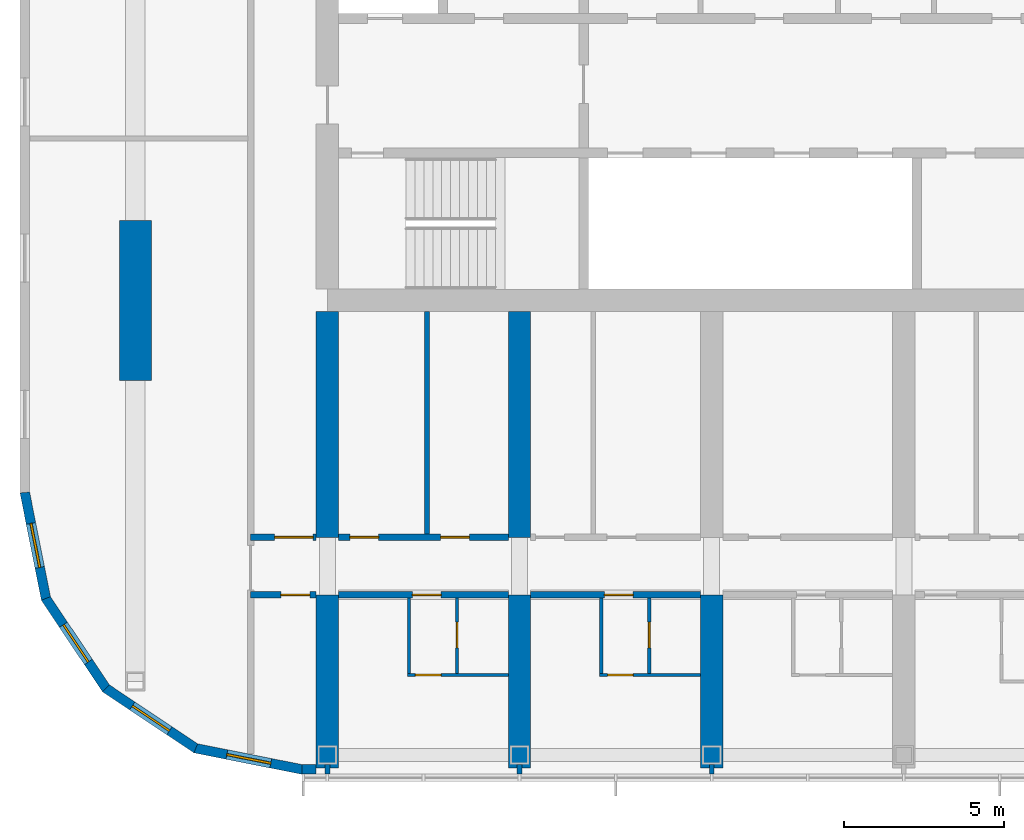
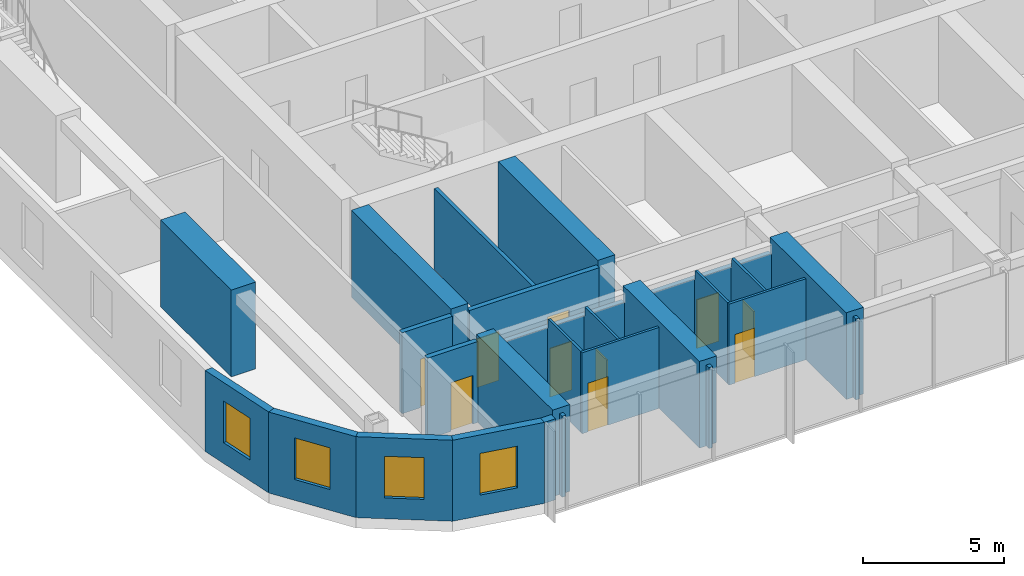
# One storey, part 12 of 27: 26 walls, 10 doors, 4 windows, 14 openings.
"""IFC4 building model written with IfcOpenShell, lengths in metres."""

import ifcopenshell
import ifcopenshell.guid

model = None  # the IFC model being written
_history = None  # IfcOwnerHistory: only IFC2X3 demands one
_inside = {}  # id of a spatial element -> (the spatial element, [elements in it])
_under = {}  # id of a project, library or spatial element -> (it, [spatial elements below it])
_declared = {}  # id of a project -> (the project, [libraries it declares])
_typed = {}  # id of a type object -> (the type object, [elements of that type])
_made_of = {}  # id of a material, layer set ... -> (it, [elements and type objects made of it])


def new_model(schema):
    """Start an empty IFC model of exactly this schema.

    Asked for "IFC4X3", IfcOpenShell would pick the latest addendum, in which some entities
    have other attributes; the version numbers below select the first issue.
    IFC2X3 requires an IfcOwnerHistory on every rooted entity: one is made here for all.
    """
    global model, _history
    if schema == "IFC4X3":
        model = ifcopenshell.file(schema_version=(4, 3, 0, 0))
    else:
        model = ifcopenshell.file(schema=schema)
    _inside.clear()
    _under.clear()
    _declared.clear()
    _typed.clear()
    _made_of.clear()
    _history = None
    if model.schema == "IFC2X3":
        org = make("IfcOrganization", Name="unknown")
        user = make(
            "IfcPersonAndOrganization",
            ThePerson=make("IfcPerson", FamilyName="unknown"),
            TheOrganization=org,
        )
        app = make(
            "IfcApplication",
            ApplicationDeveloper=org,
            Version="unknown",
            ApplicationFullName="unknown",
            ApplicationIdentifier="unknown",
        )
        _history = make(
            "IfcOwnerHistory",
            OwningUser=user,
            OwningApplication=app,
            ChangeAction="ADDED",
            CreationDate=0,
        )
    return model


def make(cls, **values):
    """One entity of the class cls with the attributes given. An attribute that is None is left unset."""
    return model.create_entity(
        cls, **{name: value for name, value in values.items() if value is not None}
    )


def rooted(cls, **values):
    """An entity with a GlobalId (a new one), such as an element, a storey or a relation."""
    return make(cls, GlobalId=ifcopenshell.guid.new(), OwnerHistory=_history, **values)


def si_unit(unit_type, name, prefix=None):
    """IfcSIUnit, for example si_unit("LENGTHUNIT", "METRE", prefix="MILLI")."""
    return make("IfcSIUnit", UnitType=unit_type, Prefix=prefix, Name=name)


def assignment(units):
    """IfcUnitAssignment: the units of a project."""
    return None if units is None else make("IfcUnitAssignment", Units=units)


def point(xyz):
    """IfcCartesianPoint."""
    return None if xyz is None else make("IfcCartesianPoint", Coordinates=xyz)


def direction(xyz):
    """IfcDirection."""
    return None if xyz is None else make("IfcDirection", DirectionRatios=xyz)


def frame(location, z_axis=None, x_axis=None):
    """IfcAxis2Placement3D, a coordinate frame: its origin and axes. An axis left out is left unset."""
    return make(
        "IfcAxis2Placement3D",
        Location=point(location),
        Axis=direction(z_axis),
        RefDirection=direction(x_axis),
    )


def frame_2d(location, x_axis=None):
    """IfcAxis2Placement2D, a coordinate frame in the plane: its origin and x axis."""
    return make(
        "IfcAxis2Placement2D", Location=point(location), RefDirection=direction(x_axis)
    )


def origin():
    """The frame at (0, 0, 0) with its axes left unset."""
    return frame((0.0, 0.0, 0.0))


def place(relative_to, where):
    """IfcLocalPlacement: puts the frame where relative to a parent placement (None: the world)."""
    return make(
        "IfcLocalPlacement", PlacementRelTo=relative_to, RelativePlacement=where
    )


def context(
    kind, dimensions, precision=None, world=None, true_north=None, identifier=None
):
    """IfcGeometricRepresentationContext, for example the 3D "Model" context."""
    return make(
        "IfcGeometricRepresentationContext",
        ContextIdentifier=identifier,
        ContextType=kind,
        CoordinateSpaceDimension=dimensions,
        Precision=precision,
        WorldCoordinateSystem=world,
        TrueNorth=true_north,
    )


def subcontext(parent, identifier, kind, view, scale=None):
    """IfcGeometricRepresentationSubContext, for example "Body" below "Model"."""
    return make(
        "IfcGeometricRepresentationSubContext",
        ContextIdentifier=identifier,
        ContextType=kind,
        ParentContext=parent,
        TargetScale=scale,
        TargetView=view,
    )


def project(units=None, contexts=None):
    """IfcProject with its units and contexts."""
    return rooted(
        "IfcProject",
        Name="project",
        RepresentationContexts=contexts,
        UnitsInContext=assignment(units),
    )


def spatial(cls, under=None, at=None, **own):
    """A site, building, storey or space (cls), placed at a placement, below another one or the project."""
    s = rooted(cls, ObjectPlacement=at, **own)
    if under is not None:
        _under.setdefault(under.id(), (under, []))[1].append(s)
    return s


def polyline(points):
    """IfcPolyline through the points."""
    return make("IfcPolyline", Points=[point(p) for p in points])


def profile(cls, at=None, kind="AREA", **sizes):
    """A parametric profile (cls). Its sizes go by their IFC names, for example OverallWidth=200.0."""
    return make(cls, ProfileType=kind, Position=at, **sizes)


def rectangle(**sizes):
    """IfcRectangleProfileDef."""
    return profile("IfcRectangleProfileDef", **sizes)


def outline(outer, holes=None, kind="AREA"):
    """IfcArbitraryClosedProfileDef: a profile drawn as a closed curve; with holes, ...WithVoids."""
    if holes is None:
        return make("IfcArbitraryClosedProfileDef", ProfileType=kind, OuterCurve=outer)
    return make(
        "IfcArbitraryProfileDefWithVoids",
        ProfileType=kind,
        OuterCurve=outer,
        InnerCurves=holes,
    )


def extrude(swept, where, along, depth):
    """IfcExtrudedAreaSolid: the profile swept, set in the frame where, extruded along a direction by depth."""
    return make(
        "IfcExtrudedAreaSolid",
        SweptArea=swept,
        Position=where,
        ExtrudedDirection=direction(along),
        Depth=depth,
    )


def shape(context_of_items, identifier, shape_type, items):
    """IfcShapeRepresentation: the items that make up one representation, for example the "Body"."""
    return make(
        "IfcShapeRepresentation",
        ContextOfItems=context_of_items,
        RepresentationIdentifier=identifier,
        RepresentationType=shape_type,
        Items=items,
    )


def material(Name=None, Category=None):
    """IfcMaterial."""
    return make("IfcMaterial", Name=Name, Category=Category)


def layer(
    of_material, thickness, ventilated=None, Name=None, Category=None, Priority=None
):
    """IfcMaterialLayer: one layer of a wall or slab, of a material (None: an air gap)."""
    return make(
        "IfcMaterialLayer",
        Material=of_material,
        LayerThickness=thickness,
        IsVentilated=ventilated,
        Name=Name,
        Category=Category,
        Priority=Priority,
    )


def layer_set(layers, Name=None):
    """IfcMaterialLayerSet."""
    return make("IfcMaterialLayerSet", MaterialLayers=layers, LayerSetName=Name)


def made_of(thing, what):
    """Note that an element or type object is made of a material, layer set ...; save() writes the relation."""
    if what is not None:
        _made_of.setdefault(what.id(), (what, []))[1].append(thing)
    return thing


def type_object(cls, material=None, **own):
    """A type object (cls), such as IfcWallType, which elements share."""
    return made_of(rooted(cls, **own), material)


def element(
    cls,
    number,
    at=None,
    inside=None,
    cuts=None,
    type_object=None,
    material=None,
    context=None,
    identifier="Body",
    shape_type=None,
    held_by="IfcProductDefinitionShape",
    body=None,
    shapes=None,
    **own,
):
    """One element of the class cls, such as IfcWall. Its Tag is "e" and its number.

    at: its placement. inside: the storey or other place that contains it. cuts: it is an
    opening in that element (IfcRelVoidsElement). A single representation is given by context,
    identifier, shape_type and body (its items); several are given by shapes. held_by: the class
    of the entity that holds the representations. save() writes the other relations.
    """
    e = rooted(cls, Tag="e%d" % number, ObjectPlacement=at, **own)
    if body is not None:
        shapes = [shape(context, identifier, shape_type, body)]
    if shapes is not None:
        e.Representation = make(held_by, Representations=shapes)
    if inside is not None:
        _inside.setdefault(inside.id(), (inside, []))[1].append(e)
    if cuts is not None:
        rooted(
            "IfcRelVoidsElement", RelatingBuildingElement=cuts, RelatedOpeningElement=e
        )
    if type_object is not None:
        _typed.setdefault(type_object.id(), (type_object, []))[1].append(e)
    return made_of(e, material)


def fill(opening, filler):
    """IfcRelFillsElement: the door or window that sits in an opening."""
    return rooted(
        "IfcRelFillsElement",
        RelatingOpeningElement=opening,
        RelatedBuildingElement=filler,
    )


def aggregate(whole, parts):
    """IfcRelAggregates: a whole, such as a stair, and the parts it consists of."""
    return rooted("IfcRelAggregates", RelatingObject=whole, RelatedObjects=parts)


def save(model, path):
    """Write the relations noted so far, then the file.

    IfcRelAggregates (storeys below a building ...), IfcRelContainedInSpatialStructure (elements
    in a storey), IfcRelDefinesByType, IfcRelAssociatesMaterial and IfcRelDeclares: one each for
    every whole, place, type object, material and project.
    """
    for whole, parts in _under.values():
        aggregate(whole, parts)
    for where, things in _inside.values():
        rooted(
            "IfcRelContainedInSpatialStructure",
            RelatedElements=things,
            RelatingStructure=where,
        )
    for kind, things in _typed.values():
        rooted("IfcRelDefinesByType", RelatedObjects=things, RelatingType=kind)
    for what, things in _made_of.values():
        rooted("IfcRelAssociatesMaterial", RelatedObjects=things, RelatingMaterial=what)
    for by, libraries in _declared.values():
        rooted("IfcRelDeclares", RelatingContext=by, RelatedDefinitions=libraries)
    model.write(path)


model = new_model("IFC4")

# Units and contexts
model_context = context("Model", 3, precision=1e-05, world=origin(), true_north=direction((0.0, 1.0)))
body_context = subcontext(model_context, "Body", "Model", "MODEL_VIEW")
ifc_project = project(units=[si_unit("LENGTHUNIT", "METRE"), si_unit("AREAUNIT", "SQUARE_METRE"), si_unit("VOLUMEUNIT", "CUBIC_METRE"), si_unit("PLANEANGLEUNIT", "RADIAN"), si_unit("MASSUNIT", "GRAM", prefix="KILO")], contexts=[model_context])

# Site, building, storey
site_placement = place(None, origin())
site = spatial("IfcSite", under=ifc_project, at=site_placement, CompositionType="ELEMENT")
building_placement = place(site_placement, origin())
building = spatial("IfcBuilding", under=site, at=building_placement, Name="Orbita Commons", CompositionType="ELEMENT")
storey_placement = place(building_placement, frame((0.0, 0.0, 246.550048828125)))
storey = spatial("IfcBuildingStorey", under=building, at=storey_placement, Name="L61", CompositionType="ELEMENT", Elevation=246.550048828125)

# Wall, opening, door
ifc_material_1 = material(Name="Concrete blockwork", Category="masonry")
ifc_layer_1 = layer(ifc_material_1, 0.199951171875)
ifc_layer_set_1 = layer_set([ifc_layer_1], Name="Concrete blockwork")
wall_type_1 = type_object("IfcWallType", Name="Corridor wall 200 blockwork", PredefinedType="SOLIDWALL", material=ifc_layer_set_1)
wall_1_placement = place(storey_placement, frame((15.60009765625, 16.60009765625, 0.0), z_axis=(0.0, 0.0, 1.0), x_axis=(1.0, 0.0, 0.0)))
wall_1 = element("IfcWall", 1, at=wall_1_placement, inside=storey, type_object=wall_type_1, Name="Corridor wall 200 blockwork L61", PredefinedType="SOLIDWALL", context=body_context, shape_type="SweptSolid", body=[
    extrude(rectangle(XDim=2.0498046875, YDim=0.199951171875, at=frame_2d((1.02490234375, 0.0))), origin(), (0.0, 0.0, 1.0), 3.5),
])
opening_1_placement = place(wall_1_placement, frame((0.949951171875, 0.0, 0.0)))
opening_1 = element("IfcOpeningElement", 2, at=opening_1_placement, cuts=wall_1, Name="Opening D05", PredefinedType="OPENING", context=body_context, shape_type="SweptSolid", body=[
    extrude(rectangle(XDim=0.89990234375, YDim=2.10009765625, at=frame_2d((0.449951171875, 1.050048828125))), frame((0.0, 0.10986328125, 0.0), z_axis=(0.0, -1.0, 0.0), x_axis=(1.0, 0.0, 0.0)), (0.0, 0.0, 1.0), 0.219970703125),
])
ifc_material_2 = material(Name="Steel-faced fire door leaf", Category="steel")
door_type_1 = type_object("IfcDoorType", Name="Service door 20 min 900x2100", OperationType="SINGLE_SWING_LEFT", PredefinedType="DOOR", material=ifc_material_2)
door_1_placement = place(opening_1_placement, origin())
door_1 = element("IfcDoor", 3, at=door_1_placement, inside=storey, type_object=door_type_1, Name="Linen store L61-KWS door", OperationType="SINGLE_SWING_LEFT", OverallHeight=2.10009765625, OverallWidth=0.89990234375, PredefinedType="DOOR", context=body_context, shape_type="SweptSolid", body=[
    extrude(rectangle(XDim=0.89990234375, YDim=2.10009765625, at=frame_2d((0.449951171875, 1.050048828125))), frame((0.0, 0.02490234375, 0.0), z_axis=(0.0, -1.0, 0.0), x_axis=(1.0, 0.0, 0.0)), (0.0, 0.0, 1.0), 0.050048828125),
])
fill(opening_1, door_1)

wall_2_placement = place(storey_placement, frame((18.35009765625, 16.60009765625, 0.0), z_axis=(0.0, 0.0, 1.0), x_axis=(1.0, 0.0, 0.0)))
wall_2 = element("IfcWall", 4, at=wall_2_placement, inside=storey, type_object=wall_type_1, Name="Corridor wall 200 blockwork L61", PredefinedType="SOLIDWALL", context=body_context, shape_type="SweptSolid", body=[
    extrude(outline(polyline([(0.0, 0.0), (5.2998046875, 0.0), (5.300048828125, 3.099853515625), (0.0, 3.099853515625), (0.0, 0.0)])), frame((0.0, 0.10009765625, 0.0), z_axis=(0.0, -1.0, 0.0), x_axis=(1.0, 0.0, 0.0)), (0.0, 0.0, 1.0), 0.199951171875),
])
opening_2_placement = place(wall_2_placement, frame((2.300048828125, 0.0, 0.0)))
opening_2 = element("IfcOpeningElement", 5, at=opening_2_placement, cuts=wall_2, Name="Opening D11", PredefinedType="OPENING", context=body_context, shape_type="SweptSolid", body=[
    extrude(rectangle(XDim=0.89990234375, YDim=2.10009765625, at=frame_2d((0.449951171875, 1.050048828125))), frame((0.0, 0.10986328125, 0.0), z_axis=(0.0, -1.0, 0.0), x_axis=(1.0, 0.0, 0.0)), (0.0, 0.0, 1.0), 0.219970703125),
])
ifc_material_3 = material(Name="Steel-faced fire door leaf", Category="steel")
door_type_2 = type_object("IfcDoorType", Name="Corridor door 20 min 900x2100", OperationType="SINGLE_SWING_LEFT", PredefinedType="DOOR", material=ifc_material_3)
door_2_placement = place(opening_2_placement, origin())
door_2 = element("IfcDoor", 6, at=door_2_placement, inside=storey, type_object=door_type_2, Name="Studio flat L61-S00 entrance door", OperationType="SINGLE_SWING_LEFT", OverallHeight=2.10009765625, OverallWidth=0.89990234375, PredefinedType="DOOR", context=body_context, shape_type="SweptSolid", body=[
    extrude(rectangle(XDim=0.89990234375, YDim=2.10009765625, at=frame_2d((0.449951171875, 1.050048828125))), frame((0.0, 0.02490234375, 0.0), z_axis=(0.0, -1.0, 0.0), x_axis=(1.0, 0.0, 0.0)), (0.0, 0.0, 1.0), 0.050048828125),
])
fill(opening_2, door_2)

wall_3_placement = place(storey_placement, frame((24.35009765625, 16.60009765625, 0.0), z_axis=(0.0, 0.0, 1.0), x_axis=(1.0, 0.0, 0.0)))
wall_3 = element("IfcWall", 7, at=wall_3_placement, inside=storey, type_object=wall_type_1, Name="Corridor wall 200 blockwork L61", PredefinedType="SOLIDWALL", context=body_context, shape_type="SweptSolid", body=[
    extrude(outline(polyline([(0.0, 0.0), (5.2998046875, 0.0), (5.300048828125, 3.099853515625), (0.0, 3.099853515625), (0.0, 0.0)])), frame((0.0, 0.10009765625, 0.0), z_axis=(0.0, -1.0, 0.0), x_axis=(1.0, 0.0, 0.0)), (0.0, 0.0, 1.0), 0.199951171875),
])
opening_3_placement = place(wall_3_placement, frame((2.300048828125, 0.0, 0.0)))
opening_3 = element("IfcOpeningElement", 8, at=opening_3_placement, cuts=wall_3, Name="Opening D11", PredefinedType="OPENING", context=body_context, shape_type="SweptSolid", body=[
    extrude(rectangle(XDim=0.89990234375, YDim=2.10009765625, at=frame_2d((0.449951171875, 1.050048828125))), frame((0.0, 0.10986328125, 0.0), z_axis=(0.0, -1.0, 0.0), x_axis=(1.0, 0.0, 0.0)), (0.0, 0.0, 1.0), 0.219970703125),
])
door_3_placement = place(opening_3_placement, origin())
door_3 = element("IfcDoor", 9, at=door_3_placement, inside=storey, type_object=door_type_2, Name="Studio flat L61-S02 entrance door", OperationType="SINGLE_SWING_LEFT", OverallHeight=2.10009765625, OverallWidth=0.89990234375, PredefinedType="DOOR", context=body_context, shape_type="SweptSolid", body=[
    extrude(rectangle(XDim=0.89990234375, YDim=2.10009765625, at=frame_2d((0.449951171875, 1.050048828125))), frame((0.0, 0.02490234375, 0.0), z_axis=(0.0, -1.0, 0.0), x_axis=(1.0, 0.0, 0.0)), (0.0, 0.0, 1.0), 0.050048828125),
])
fill(opening_3, door_3)

ifc_material_4 = material(Name="Hollow concrete block 200", Category="concrete")
ifc_layer_2 = layer(ifc_material_4, 0.199951171875)
ifc_layer_set_2 = layer_set([ifc_layer_2], Name="Hollow concrete block 200")
wall_type_2 = type_object("IfcWallType", Name="Corridor wall 200 hollow concrete block", PredefinedType="SOLIDWALL", material=ifc_layer_set_2)
wall_4_placement = place(storey_placement, frame((15.60009765625, 18.39990234375, 0.0), z_axis=(0.0, 0.0, 1.0), x_axis=(1.0, 0.0, 0.0)))
wall_4 = element("IfcWall", 10, at=wall_4_placement, inside=storey, type_object=wall_type_2, Name="Corridor wall 200 hollow concrete block L61", PredefinedType="SOLIDWALL", context=body_context, shape_type="SweptSolid", body=[
    extrude(rectangle(XDim=2.0498046875, YDim=0.199951171875, at=frame_2d((1.02490234375, 0.0))), origin(), (0.0, 0.0, 1.0), 3.5),
])
opening_4_placement = place(wall_4_placement, frame((0.75, 0.0, 0.0)))
opening_4 = element("IfcOpeningElement", 11, at=opening_4_placement, cuts=wall_4, Name="Opening D12", PredefinedType="OPENING", context=body_context, shape_type="SweptSolid", body=[
    extrude(rectangle(XDim=1.199951171875, YDim=2.10009765625, at=frame_2d((0.60009765625, 1.050048828125))), frame((0.0, 0.10986328125, 0.0), z_axis=(0.0, -1.0, 0.0), x_axis=(1.0, 0.0, 0.0)), (0.0, 0.0, 1.0), 0.219970703125),
])
ifc_material_5 = material(Name="Steel-faced fire door leaf", Category="steel")
door_type_3 = type_object("IfcDoorType", Name="Double corridor door 20 min 1200x2100", OperationType="DOUBLE_DOOR_SINGLE_SWING", PredefinedType="DOOR", material=ifc_material_5)
door_4_placement = place(opening_4_placement, origin())
door_4 = element("IfcDoor", 12, at=door_4_placement, inside=storey, type_object=door_type_3, Name="Cross corridor doors", OperationType="DOUBLE_DOOR_SINGLE_SWING", OverallHeight=2.10009765625, OverallWidth=1.199951171875, PredefinedType="DOOR", context=body_context, shape_type="SweptSolid", body=[
    extrude(rectangle(XDim=1.199951171875, YDim=2.10009765625, at=frame_2d((0.60009765625, 1.050048828125))), frame((0.0, 0.02490234375, 0.0), z_axis=(0.0, -1.0, 0.0), x_axis=(1.0, 0.0, 0.0)), (0.0, 0.0, 1.0), 0.050048828125),
])
fill(opening_4, door_4)

# Wall, openings, doors
wall_5_placement = place(storey_placement, frame((18.35009765625, 18.39990234375, 0.0), z_axis=(0.0, 0.0, 1.0), x_axis=(1.0, 0.0, 0.0)))
wall_5 = element("IfcWall", 13, at=wall_5_placement, inside=storey, type_object=wall_type_2, Name="Corridor wall 200 hollow concrete block L61", PredefinedType="SOLIDWALL", context=body_context, shape_type="SweptSolid", body=[
    extrude(rectangle(XDim=5.2998046875, YDim=0.199951171875, at=frame_2d((2.64990234375, 0.0))), origin(), (0.0, 0.0, 1.0), 3.5),
])
opening_5_placement = place(wall_5_placement, frame((0.35009765625, 0.0, 0.0)))
opening_5 = element("IfcOpeningElement", 14, at=opening_5_placement, cuts=wall_5, Name="Opening D11", PredefinedType="OPENING", context=body_context, shape_type="SweptSolid", body=[
    extrude(rectangle(XDim=0.89990234375, YDim=2.10009765625, at=frame_2d((0.449951171875, 1.050048828125))), frame((0.0, 0.10986328125, 0.0), z_axis=(0.0, -1.0, 0.0), x_axis=(1.0, 0.0, 0.0)), (0.0, 0.0, 1.0), 0.219970703125),
])
opening_6_placement = place(wall_5_placement, frame((3.18505859375, 0.0, 0.0)))
opening_6 = element("IfcOpeningElement", 15, at=opening_6_placement, cuts=wall_5, Name="Opening D11", PredefinedType="OPENING", context=body_context, shape_type="SweptSolid", body=[
    extrude(rectangle(XDim=0.89990234375, YDim=2.10009765625, at=frame_2d((0.449951171875, 1.050048828125))), frame((0.0, 0.10986328125, 0.0), z_axis=(0.0, -1.0, 0.0), x_axis=(1.0, 0.0, 0.0)), (0.0, 0.0, 1.0), 0.219970703125),
])
door_5_placement = place(opening_5_placement, origin())
door_5 = element("IfcDoor", 16, at=door_5_placement, inside=storey, type_object=door_type_2, Name="Accessible WC and shower room L61-BDS18n door", OperationType="SINGLE_SWING_LEFT", OverallHeight=2.10009765625, OverallWidth=0.89990234375, PredefinedType="DOOR", context=body_context, shape_type="SweptSolid", body=[
    extrude(rectangle(XDim=0.89990234375, YDim=2.10009765625, at=frame_2d((0.449951171875, 1.050048828125))), frame((0.0, 0.02490234375, 0.0), z_axis=(0.0, -1.0, 0.0), x_axis=(1.0, 0.0, 0.0)), (0.0, 0.0, 1.0), 0.050048828125),
])
fill(opening_5, door_5)
door_6_placement = place(opening_6_placement, origin())
door_6 = element("IfcDoor", 17, at=door_6_placement, inside=storey, type_object=door_type_2, Name="Music practice room L61-BDS18 door", OperationType="SINGLE_SWING_LEFT", OverallHeight=2.10009765625, OverallWidth=0.89990234375, PredefinedType="DOOR", context=body_context, shape_type="SweptSolid", body=[
    extrude(rectangle(XDim=0.89990234375, YDim=2.10009765625, at=frame_2d((0.449951171875, 1.050048828125))), frame((0.0, 0.02490234375, 0.0), z_axis=(0.0, -1.0, 0.0), x_axis=(1.0, 0.0, 0.0)), (0.0, 0.0, 1.0), 0.050048828125),
])
fill(opening_6, door_6)

# Walls
ifc_material_6 = material(Name="Concrete C50/60", Category="concrete")
ifc_layer_3 = layer(ifc_material_6, 0.699951171875)
ifc_layer_set_3 = layer_set([ifc_layer_3], Name="Concrete C50/60")
wall_type_3 = type_object("IfcWallType", Name="Cross wall 700 C50/60", PredefinedType="SHEAR", material=ifc_layer_set_3)
wall_6_placement = place(storey_placement, frame((18.0, 11.199951171875, 0.0), z_axis=(0.0, 0.0, 1.0), x_axis=(0.0, 1.0, 0.0)))
element("IfcWall", 18, at=wall_6_placement, inside=storey, type_object=wall_type_3, Name="Cross wall 4 south outer L61", PredefinedType="SHEAR", context=body_context, shape_type="SweptSolid", body=[
    extrude(rectangle(XDim=5.400146484375, YDim=0.699951171875, at=frame_2d((2.7001953125, 0.0))), origin(), (0.0, 0.0, 1.0), 3.75),
])
wall_7_placement = place(storey_placement, frame((18.0, 18.39990234375, 0.0), z_axis=(0.0, 0.0, 1.0), x_axis=(0.0, 1.0, 0.0)))
element("IfcWall", 19, at=wall_7_placement, inside=storey, type_object=wall_type_3, Name="Cross wall 4 south inner L61", PredefinedType="SHEAR", context=body_context, shape_type="SweptSolid", body=[
    extrude(rectangle(XDim=7.050048828125, YDim=0.699951171875, at=frame_2d((3.52490234375, 0.0))), origin(), (0.0, 0.0, 1.0), 3.75),
])
wall_8_placement = place(storey_placement, frame((24.0, 11.199951171875, 0.0), z_axis=(0.0, 0.0, 1.0), x_axis=(0.0, 1.0, 0.0)))
element("IfcWall", 20, at=wall_8_placement, inside=storey, type_object=wall_type_3, Name="Cross wall 5 south outer L61", PredefinedType="SHEAR", context=body_context, shape_type="SweptSolid", body=[
    extrude(rectangle(XDim=5.400146484375, YDim=0.699951171875, at=frame_2d((2.7001953125, 0.0))), origin(), (0.0, 0.0, 1.0), 3.75),
])
wall_9_placement = place(storey_placement, frame((24.0, 18.39990234375, 0.0), z_axis=(0.0, 0.0, 1.0), x_axis=(0.0, 1.0, 0.0)))
element("IfcWall", 21, at=wall_9_placement, inside=storey, type_object=wall_type_3, Name="Cross wall 5 south inner L61", PredefinedType="SHEAR", context=body_context, shape_type="SweptSolid", body=[
    extrude(rectangle(XDim=7.050048828125, YDim=0.699951171875, at=frame_2d((3.52490234375, 0.0))), origin(), (0.0, 0.0, 1.0), 3.75),
])
wall_10_placement = place(storey_placement, frame((30.0, 11.199951171875, 0.0), z_axis=(0.0, 0.0, 1.0), x_axis=(0.0, 1.0, 0.0)))
element("IfcWall", 22, at=wall_10_placement, inside=storey, type_object=wall_type_3, Name="Cross wall 6 south outer L61", PredefinedType="SHEAR", context=body_context, shape_type="SweptSolid", body=[
    extrude(rectangle(XDim=5.400146484375, YDim=0.699951171875, at=frame_2d((2.7001953125, 0.0))), origin(), (0.0, 0.0, 1.0), 3.75),
])

# Wall, opening, door
ifc_material_7 = material(Name="Moisture-resistant plasterboard on steel studs", Category="steel")
ifc_layer_4 = layer(ifc_material_7, 0.10009765625)
ifc_layer_set_4 = layer_set([ifc_layer_4], Name="Moisture-resistant plasterboard on steel studs")
wall_type_4 = type_object("IfcWallType", Name="En-suite partition 100", PredefinedType="PARTITIONING", material=ifc_layer_set_4)
wall_11_placement = place(storey_placement, frame((23.64990234375, 14.10009765625, 0.0), z_axis=(0.0, 0.0, 1.0), x_axis=(-1.0, 0.0, 0.0)))
wall_11 = element("IfcWall", 23, at=wall_11_placement, inside=storey, type_object=wall_type_4, Name="En-suite partition 100 L61", PredefinedType="PARTITIONING", context=body_context, shape_type="SweptSolid", body=[
    extrude(rectangle(XDim=3.14990234375, YDim=0.10009765625, at=frame_2d((1.574951171875, 0.0))), origin(), (0.0, 0.0, 1.0), 3.5),
])
opening_7_placement = place(wall_11_placement, frame((2.10009765625, 0.0, 0.0)))
opening_7 = element("IfcOpeningElement", 24, at=opening_7_placement, cuts=wall_11, Name="Opening D16", PredefinedType="OPENING", context=body_context, shape_type="SweptSolid", body=[
    extrude(rectangle(XDim=0.800048828125, YDim=2.10009765625, at=frame_2d((0.39990234375, 1.050048828125))), frame((0.0, 0.06005859375, 0.0), z_axis=(0.0, -1.0, 0.0), x_axis=(1.0, 0.0, 0.0)), (0.0, 0.0, 1.0), 0.1201171875),
])
ifc_material_8 = material(Name="Laminated timber door leaf", Category="wood")
door_type_4 = type_object("IfcDoorType", Name="En-suite door 800x2100", OperationType="SINGLE_SWING_RIGHT", PredefinedType="DOOR", material=ifc_material_8)
door_7_placement = place(opening_7_placement, origin())
door_7 = element("IfcDoor", 25, at=door_7_placement, inside=storey, type_object=door_type_4, Name="Studio flat L61-S00 door", OperationType="SINGLE_SWING_RIGHT", OverallHeight=2.10009765625, OverallWidth=0.800048828125, PredefinedType="DOOR", context=body_context, shape_type="SweptSolid", body=[
    extrude(rectangle(XDim=0.800048828125, YDim=2.10009765625, at=frame_2d((0.39990234375, 1.050048828125))), frame((0.0, 0.02490234375, 0.0), z_axis=(0.0, -1.0, 0.0), x_axis=(1.0, 0.0, 0.0)), (0.0, 0.0, 1.0), 0.050048828125),
])
fill(opening_7, door_7)

# Wall
wall_12_placement = place(storey_placement, frame((20.550048828125, 14.14990234375, 0.0), z_axis=(0.0, 0.0, 1.0), x_axis=(0.0, 1.0, 0.0)))
element("IfcWall", 26, at=wall_12_placement, inside=storey, type_object=wall_type_4, Name="En-suite partition 100 L61", PredefinedType="PARTITIONING", context=body_context, shape_type="SweptSolid", body=[
    extrude(outline(polyline([(0.0, 0.0), (2.35009765625, 0.0), (2.35009765625, 3.099853515625), (2.302001953125, 3.099853515625), (2.300048828125, 3.5), (0.0, 3.5), (0.0, 0.0)])), frame((0.0, 0.050048828125, 0.0), z_axis=(0.0, -1.0, 0.0), x_axis=(1.0, 0.0, 0.0)), (0.0, 0.0, 1.0), 0.10009765625),
])

# Wall, opening, door
wall_13_placement = place(storey_placement, frame((22.050048828125, 14.14990234375, 0.0), z_axis=(0.0, 0.0, 1.0), x_axis=(0.0, 1.0, 0.0)))
wall_13 = element("IfcWall", 27, at=wall_13_placement, inside=storey, type_object=wall_type_4, Name="En-suite partition 100 L61", PredefinedType="PARTITIONING", context=body_context, shape_type="SweptSolid", body=[
    extrude(outline(polyline([(0.0, 0.0), (2.35009765625, 0.0), (2.35009765625, 3.099853515625), (2.302001953125, 3.099853515625), (2.300048828125, 3.5), (0.0, 3.5), (0.0, 0.0)])), frame((0.0, 0.050048828125, 0.0), z_axis=(0.0, -1.0, 0.0), x_axis=(1.0, 0.0, 0.0)), (0.0, 0.0, 1.0), 0.10009765625),
])
opening_8_placement = place(wall_13_placement, frame((0.800048828125, 0.0, 0.0)))
opening_8 = element("IfcOpeningElement", 28, at=opening_8_placement, cuts=wall_13, Name="Opening D16", PredefinedType="OPENING", context=body_context, shape_type="SweptSolid", body=[
    extrude(rectangle(XDim=0.800048828125, YDim=2.10009765625, at=frame_2d((0.39990234375, 1.050048828125))), frame((0.0, 0.06005859375, 0.0), z_axis=(0.0, -1.0, 0.0), x_axis=(1.0, 0.0, 0.0)), (0.0, 0.0, 1.0), 0.1201171875),
])
door_8_placement = place(opening_8_placement, origin())
door_8 = element("IfcDoor", 29, at=door_8_placement, inside=storey, type_object=door_type_4, Name="Studio flat shower room L61-S00 door", OperationType="SINGLE_SWING_RIGHT", OverallHeight=2.10009765625, OverallWidth=0.800048828125, PredefinedType="DOOR", context=body_context, shape_type="SweptSolid", body=[
    extrude(rectangle(XDim=0.800048828125, YDim=2.10009765625, at=frame_2d((0.39990234375, 1.050048828125))), frame((0.0, 0.02490234375, 0.0), z_axis=(0.0, -1.0, 0.0), x_axis=(1.0, 0.0, 0.0)), (0.0, 0.0, 1.0), 0.050048828125),
])
fill(opening_8, door_8)

wall_14_placement = place(storey_placement, frame((29.64990234375, 14.10009765625, 0.0), z_axis=(0.0, 0.0, 1.0), x_axis=(-1.0, 0.0, 0.0)))
wall_14 = element("IfcWall", 30, at=wall_14_placement, inside=storey, type_object=wall_type_4, Name="En-suite partition 100 L61", PredefinedType="PARTITIONING", context=body_context, shape_type="SweptSolid", body=[
    extrude(rectangle(XDim=3.14990234375, YDim=0.10009765625, at=frame_2d((1.574951171875, 0.0))), origin(), (0.0, 0.0, 1.0), 3.5),
])
opening_9_placement = place(wall_14_placement, frame((2.10009765625, 0.0, 0.0)))
opening_9 = element("IfcOpeningElement", 31, at=opening_9_placement, cuts=wall_14, Name="Opening D16", PredefinedType="OPENING", context=body_context, shape_type="SweptSolid", body=[
    extrude(rectangle(XDim=0.800048828125, YDim=2.10009765625, at=frame_2d((0.39990234375, 1.050048828125))), frame((0.0, 0.06005859375, 0.0), z_axis=(0.0, -1.0, 0.0), x_axis=(1.0, 0.0, 0.0)), (0.0, 0.0, 1.0), 0.1201171875),
])
door_9_placement = place(opening_9_placement, origin())
door_9 = element("IfcDoor", 32, at=door_9_placement, inside=storey, type_object=door_type_4, Name="Studio flat L61-S02 door", OperationType="SINGLE_SWING_RIGHT", OverallHeight=2.10009765625, OverallWidth=0.800048828125, PredefinedType="DOOR", context=body_context, shape_type="SweptSolid", body=[
    extrude(rectangle(XDim=0.800048828125, YDim=2.10009765625, at=frame_2d((0.39990234375, 1.050048828125))), frame((0.0, 0.02490234375, 0.0), z_axis=(0.0, -1.0, 0.0), x_axis=(1.0, 0.0, 0.0)), (0.0, 0.0, 1.0), 0.050048828125),
])
fill(opening_9, door_9)

# Wall
wall_15_placement = place(storey_placement, frame((26.550048828125, 14.14990234375, 0.0), z_axis=(0.0, 0.0, 1.0), x_axis=(0.0, 1.0, 0.0)))
element("IfcWall", 33, at=wall_15_placement, inside=storey, type_object=wall_type_4, Name="En-suite partition 100 L61", PredefinedType="PARTITIONING", context=body_context, shape_type="SweptSolid", body=[
    extrude(outline(polyline([(0.0, 0.0), (2.35009765625, 0.0), (2.35009765625, 3.099853515625), (2.302001953125, 3.099853515625), (2.300048828125, 3.5), (0.0, 3.5), (0.0, 0.0)])), frame((0.0, 0.050048828125, 0.0), z_axis=(0.0, -1.0, 0.0), x_axis=(1.0, 0.0, 0.0)), (0.0, 0.0, 1.0), 0.10009765625),
])

# Wall, opening, door
wall_16_placement = place(storey_placement, frame((28.050048828125, 14.14990234375, 0.0), z_axis=(0.0, 0.0, 1.0), x_axis=(0.0, 1.0, 0.0)))
wall_16 = element("IfcWall", 34, at=wall_16_placement, inside=storey, type_object=wall_type_4, Name="En-suite partition 100 L61", PredefinedType="PARTITIONING", context=body_context, shape_type="SweptSolid", body=[
    extrude(outline(polyline([(0.0, 0.0), (2.35009765625, 0.0), (2.35009765625, 3.099853515625), (2.302001953125, 3.099853515625), (2.300048828125, 3.5), (0.0, 3.5), (0.0, 0.0)])), frame((0.0, 0.050048828125, 0.0), z_axis=(0.0, -1.0, 0.0), x_axis=(1.0, 0.0, 0.0)), (0.0, 0.0, 1.0), 0.10009765625),
])
opening_10_placement = place(wall_16_placement, frame((0.800048828125, 0.0, 0.0)))
opening_10 = element("IfcOpeningElement", 35, at=opening_10_placement, cuts=wall_16, Name="Opening D16", PredefinedType="OPENING", context=body_context, shape_type="SweptSolid", body=[
    extrude(rectangle(XDim=0.800048828125, YDim=2.10009765625, at=frame_2d((0.39990234375, 1.050048828125))), frame((0.0, 0.06005859375, 0.0), z_axis=(0.0, -1.0, 0.0), x_axis=(1.0, 0.0, 0.0)), (0.0, 0.0, 1.0), 0.1201171875),
])
door_10_placement = place(opening_10_placement, origin())
door_10 = element("IfcDoor", 36, at=door_10_placement, inside=storey, type_object=door_type_4, Name="Studio flat shower room L61-S02 door", OperationType="SINGLE_SWING_RIGHT", OverallHeight=2.10009765625, OverallWidth=0.800048828125, PredefinedType="DOOR", context=body_context, shape_type="SweptSolid", body=[
    extrude(rectangle(XDim=0.800048828125, YDim=2.10009765625, at=frame_2d((0.39990234375, 1.050048828125))), frame((0.0, 0.02490234375, 0.0), z_axis=(0.0, -1.0, 0.0), x_axis=(1.0, 0.0, 0.0)), (0.0, 0.0, 1.0), 0.050048828125),
])
fill(opening_10, door_10)

# Walls
ifc_material_9 = material(Name="Concrete C50/60", Category="concrete")
ifc_layer_5 = layer(ifc_material_9, 1.0)
ifc_layer_set_5 = layer_set([ifc_layer_5], Name="Concrete C50/60")
wall_type_5 = type_object("IfcWallType", Name="End pier 1000x5000 C50/60", PredefinedType="SHEAR", material=ifc_layer_set_5)
wall_17_placement = place(storey_placement, frame((12.0, 23.300048828125, 0.0), z_axis=(0.0, 0.0, 1.0), x_axis=(0.0, 1.0, 0.0)))
element("IfcWall", 37, at=wall_17_placement, inside=storey, type_object=wall_type_5, Name="End pier 3/C L61", PredefinedType="SHEAR", context=body_context, shape_type="SweptSolid", body=[
    extrude(rectangle(XDim=5.0, YDim=1.0, at=frame_2d((2.5, 0.0))), origin(), (0.0, 0.0, 1.0), 3.75),
])
ifc_material_10 = material(Name="Gypsum plasterboard on steel studs", Category="steel")
ifc_layer_6 = layer(ifc_material_10, 0.14990234375)
ifc_layer_set_6 = layer_set([ifc_layer_6], Name="Gypsum plasterboard on steel studs")
wall_type_6 = type_object("IfcWallType", Name="Partition 150 plasterboard", PredefinedType="PARTITIONING", material=ifc_layer_set_6)
wall_18_placement = place(storey_placement, frame((21.110107421875, 18.5, 0.0), z_axis=(0.0, 0.0, 1.0), x_axis=(0.0, 1.0, 0.0)))
element("IfcWall", 38, at=wall_18_placement, inside=storey, type_object=wall_type_6, Name="Partition 150 plasterboard L61", PredefinedType="PARTITIONING", context=body_context, shape_type="SweptSolid", body=[
    extrude(rectangle(XDim=6.949951171875, YDim=0.14990234375, at=frame_2d((3.47509765625, 0.0))), origin(), (0.0, 0.0, 1.0), 3.5),
])
for number, where, z_axis, x_axis, name in (
    (39, (18.0, 11.300048828125, 0.0), (0.0, 0.0, 1.0), (0.0, -1.0, 0.0), "Partition 150 plasterboard L61"),
    (40, (24.0, 11.300048828125, 0.0), (0.0, 0.0, 1.0), (0.0, -1.0, 0.0), "Partition 150 plasterboard L61"),
    (41, (30.0, 11.300048828125, 0.0), (0.0, 0.0, 1.0), (0.0, -1.0, 0.0), "Partition 150 plasterboard L61"),
):
    element("IfcWall", number, at=place(storey_placement, frame(where, z_axis=z_axis, x_axis=x_axis)), inside=storey, type_object=wall_type_6, Name=name, PredefinedType="PARTITIONING", context=body_context, shape_type="SweptSolid", body=[
        extrude(rectangle(XDim=0.2900390625, YDim=0.14990234375, at=frame_2d((0.14501953125, 0.0))), origin(), (0.0, 0.0, 1.0), 3.5),
    ])

# Wall, opening, window
ifc_material_11 = material(Name="Precast concrete C40/50, white board-marked finish", Category="concrete")
ifc_layer_7 = layer(ifc_material_11, 0.300048828125)
ifc_layer_set_7 = layer_set([ifc_layer_7], Name="Precast concrete C40/50, white board-marked finish")
wall_type_7 = type_object("IfcWallType", Name="Precast concrete end shield 300", PredefinedType="SOLIDWALL", material=ifc_layer_set_7)
wall_19_placement = place(storey_placement, frame((8.550048828125, 19.800048828125, 0.0), z_axis=(0.0, 0.0, 1.0), x_axis=(0.19508664885, -0.980786011034, 0.0)))
wall_19 = element("IfcWall", 42, at=wall_19_placement, inside=storey, type_object=wall_type_7, Name="End shield SW chord 1 L61", PredefinedType="SOLIDWALL", context=body_context, shape_type="SweptSolid", body=[
    extrude(outline(polyline([(-0.014892578125, -0.14990234375), (3.405029296875, -0.14990234375), (3.345458984375, 0.14990234375), (0.014892578125, 0.14990234375), (-0.014892578125, -0.14990234375)])), origin(), (0.0, 0.0, 1.0), 3.5),
])
opening_11_placement = place(wall_19_placement, frame((0.987548828125, 0.0, 0.89990234375)))
opening_11 = element("IfcOpeningElement", 43, at=opening_11_placement, cuts=wall_19, Name="Opening W02", PredefinedType="OPENING", context=body_context, shape_type="SweptSolid", body=[
    extrude(rectangle(XDim=1.39990234375, YDim=1.800048828125, at=frame_2d((0.699951171875, 0.89990234375))), frame((0.0, 0.159912109375, 0.0), z_axis=(0.0, -1.0, 0.0), x_axis=(1.0, 0.0, 0.0)), (0.0, 0.0, 1.0), 0.320068359375),
])
ifc_material_12 = material(Name="Aluminium frame, clear double glazing", Category="aluminium")
window_type = type_object("IfcWindowType", Name="Deep-set window 1400x1800", PartitioningType="SINGLE_PANEL", PredefinedType="WINDOW", material=ifc_material_12)
window_1_placement = place(opening_11_placement, origin())
window_1 = element("IfcWindow", 44, at=window_1_placement, inside=storey, type_object=window_type, Name="Window L61-SW0", OverallHeight=1.800048828125, OverallWidth=1.39990234375, PartitioningType="SINGLE_PANEL", PredefinedType="WINDOW", context=body_context, shape_type="SweptSolid", body=[
    extrude(rectangle(XDim=1.39990234375, YDim=1.800048828125, at=frame_2d((0.699951171875, 0.89990234375))), frame((0.0, 0.030029296875, 0.0), z_axis=(0.0, -1.0, 0.0), x_axis=(1.0, 0.0, 0.0)), (0.0, 0.0, 1.0), 0.06005859375),
])
fill(opening_11, window_1)

wall_20_placement = place(storey_placement, frame((9.20849609375, 16.48974609375, 0.0), z_axis=(0.0, 0.0, 1.0), x_axis=(0.555567969291, -0.831471124873, 0.0)))
wall_20 = element("IfcWall", 45, at=wall_20_placement, inside=storey, type_object=wall_type_7, Name="End shield SW chord 2 L61", PredefinedType="SOLIDWALL", context=body_context, shape_type="SweptSolid", body=[
    extrude(outline(polyline([(-0.02978515625, -0.14990234375), (3.40478515625, -0.14990234375), (3.34521484375, 0.14990234375), (0.02978515625, 0.14990234375), (-0.02978515625, -0.14990234375)])), origin(), (0.0, 0.0, 1.0), 3.5),
])
opening_12_placement = place(wall_20_placement, frame((0.987548828125, 0.0, 0.89990234375)))
opening_12 = element("IfcOpeningElement", 46, at=opening_12_placement, cuts=wall_20, Name="Opening W02", PredefinedType="OPENING", context=body_context, shape_type="SweptSolid", body=[
    extrude(rectangle(XDim=1.39990234375, YDim=1.800048828125, at=frame_2d((0.699951171875, 0.89990234375))), frame((0.0, 0.159912109375, 0.0), z_axis=(0.0, -1.0, 0.0), x_axis=(1.0, 0.0, 0.0)), (0.0, 0.0, 1.0), 0.320068359375),
])
window_2_placement = place(opening_12_placement, origin())
window_2 = element("IfcWindow", 47, at=window_2_placement, inside=storey, type_object=window_type, Name="Window L61-SW1", OverallHeight=1.800048828125, OverallWidth=1.39990234375, PartitioningType="SINGLE_PANEL", PredefinedType="WINDOW", context=body_context, shape_type="SweptSolid", body=[
    extrude(rectangle(XDim=1.39990234375, YDim=1.800048828125, at=frame_2d((0.699951171875, 0.89990234375))), frame((0.0, 0.030029296875, 0.0), z_axis=(0.0, -1.0, 0.0), x_axis=(1.0, 0.0, 0.0)), (0.0, 0.0, 1.0), 0.06005859375),
])
fill(opening_12, window_2)

wall_21_placement = place(storey_placement, frame((11.08349609375, 13.68359375, 0.0), z_axis=(0.0, 0.0, 1.0), x_axis=(0.831460037396, -0.555584562613, 0.0)))
wall_21 = element("IfcWall", 48, at=wall_21_placement, inside=storey, type_object=wall_type_7, Name="End shield SW chord 3 L61", PredefinedType="SOLIDWALL", context=body_context, shape_type="SweptSolid", body=[
    extrude(outline(polyline([(-0.02978515625, -0.14990234375), (3.405029296875, -0.14990234375), (3.345458984375, 0.14990234375), (0.02978515625, 0.14990234375), (-0.02978515625, -0.14990234375)])), origin(), (0.0, 0.0, 1.0), 3.5),
])
opening_13_placement = place(wall_21_placement, frame((0.987548828125, 0.0, 0.89990234375)))
opening_13 = element("IfcOpeningElement", 49, at=opening_13_placement, cuts=wall_21, Name="Opening W02", PredefinedType="OPENING", context=body_context, shape_type="SweptSolid", body=[
    extrude(rectangle(XDim=1.39990234375, YDim=1.800048828125, at=frame_2d((0.699951171875, 0.89990234375))), frame((0.0, 0.159912109375, 0.0), z_axis=(0.0, -1.0, 0.0), x_axis=(1.0, 0.0, 0.0)), (0.0, 0.0, 1.0), 0.320068359375),
])
window_3_placement = place(opening_13_placement, origin())
window_3 = element("IfcWindow", 50, at=window_3_placement, inside=storey, type_object=window_type, Name="Window L61-SW2", OverallHeight=1.800048828125, OverallWidth=1.39990234375, PartitioningType="SINGLE_PANEL", PredefinedType="WINDOW", context=body_context, shape_type="SweptSolid", body=[
    extrude(rectangle(XDim=1.39990234375, YDim=1.800048828125, at=frame_2d((0.699951171875, 0.89990234375))), frame((0.0, 0.030029296875, 0.0), z_axis=(0.0, -1.0, 0.0), x_axis=(1.0, 0.0, 0.0)), (0.0, 0.0, 1.0), 0.06005859375),
])
fill(opening_13, window_3)

wall_22_placement = place(storey_placement, frame((13.889892578125, 11.808349609375, 0.0), z_axis=(0.0, 0.0, 1.0), x_axis=(0.98078325777, -0.195100490205, 0.0)))
wall_22 = element("IfcWall", 51, at=wall_22_placement, inside=storey, type_object=wall_type_7, Name="End shield SW chord 4 L61", PredefinedType="SOLIDWALL", context=body_context, shape_type="SweptSolid", body=[
    extrude(outline(polyline([(-0.02978515625, -0.14990234375), (3.40478515625, -0.14990234375), (3.34521484375, 0.14990234375), (0.02978515625, 0.14990234375), (-0.02978515625, -0.14990234375)])), origin(), (0.0, 0.0, 1.0), 3.5),
])
opening_14_placement = place(wall_22_placement, frame((0.987548828125, 0.0, 0.89990234375)))
opening_14 = element("IfcOpeningElement", 52, at=opening_14_placement, cuts=wall_22, Name="Opening W02", PredefinedType="OPENING", context=body_context, shape_type="SweptSolid", body=[
    extrude(rectangle(XDim=1.39990234375, YDim=1.800048828125, at=frame_2d((0.699951171875, 0.89990234375))), frame((0.0, 0.159912109375, 0.0), z_axis=(0.0, -1.0, 0.0), x_axis=(1.0, 0.0, 0.0)), (0.0, 0.0, 1.0), 0.320068359375),
])
window_4_placement = place(opening_14_placement, origin())
window_4 = element("IfcWindow", 53, at=window_4_placement, inside=storey, type_object=window_type, Name="Window L61-SW3", OverallHeight=1.800048828125, OverallWidth=1.39990234375, PartitioningType="SINGLE_PANEL", PredefinedType="WINDOW", context=body_context, shape_type="SweptSolid", body=[
    extrude(rectangle(XDim=1.39990234375, YDim=1.800048828125, at=frame_2d((0.699951171875, 0.89990234375))), frame((0.0, 0.030029296875, 0.0), z_axis=(0.0, -1.0, 0.0), x_axis=(1.0, 0.0, 0.0)), (0.0, 0.0, 1.0), 0.06005859375),
])
fill(opening_14, window_4)

# Wall
wall_23_placement = place(storey_placement, frame((17.199951171875, 11.14990234375, 0.0), z_axis=(0.0, 0.0, 1.0), x_axis=(1.0, 0.0, 0.0)))
element("IfcWall", 54, at=wall_23_placement, inside=storey, type_object=wall_type_7, Name="End shield SW closer L61", PredefinedType="SOLIDWALL", context=body_context, shape_type="SweptSolid", body=[
    extrude(rectangle(XDim=0.449951171875, YDim=0.300048828125, at=frame_2d((0.22509765625, 0.0))), origin(), (0.0, 0.0, 1.0), 3.5),
])

save(model, "model.ifc")
